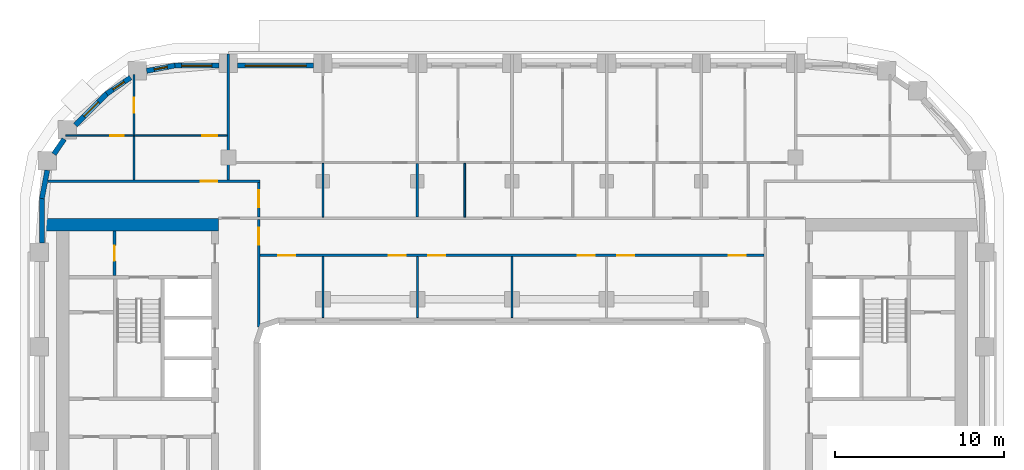
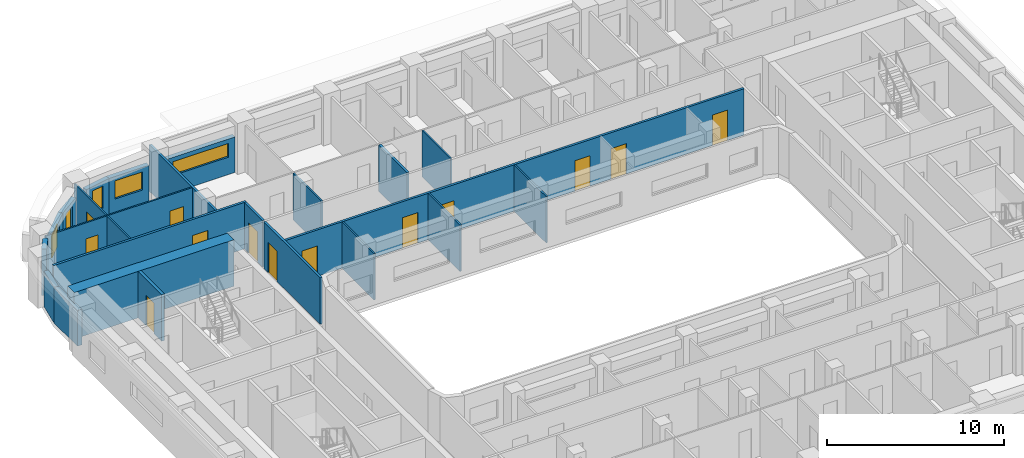
# One storey, part 7 of 22: 24 walls, 13 doors, 5 windows, 18 openings.
"""IFC4 building model written with IfcOpenShell, lengths in metres."""

from ifc_helpers import new_model, si_unit, direction, frame, frame_2d, origin, place, context, subcontext, project, spatial, rectangle, extrude, material, layer, layer_set, type_object, element, fill, save


model = new_model("IFC4")

# Units and contexts
model_context = context("Model", 3, precision=1e-05, world=origin(), true_north=direction((0.0, 1.0)))
body_context = subcontext(model_context, "Body", "Model", "MODEL_VIEW")
ifc_project = project(units=[si_unit("LENGTHUNIT", "METRE"), si_unit("AREAUNIT", "SQUARE_METRE"), si_unit("VOLUMEUNIT", "CUBIC_METRE"), si_unit("PLANEANGLEUNIT", "RADIAN"), si_unit("MASSUNIT", "GRAM", prefix="KILO")], contexts=[model_context])

# Site, building, storey
site_placement = place(None, origin())
site = spatial("IfcSite", under=ifc_project, at=site_placement, CompositionType="ELEMENT")
building_placement = place(site_placement, origin())
building = spatial("IfcBuilding", under=site, at=building_placement, Name="Kiln Ring Residences", CompositionType="ELEMENT")
storey_placement = place(building_placement, frame((0.0, 0.0, 143.10009765625)))
storey = spatial("IfcBuildingStorey", under=building, at=storey_placement, Name="L36", CompositionType="ELEMENT", Elevation=143.10009765625)

# Wall, opening, door
ifc_material_1 = material(Name="Gypsum board on steel studs", Category="steel")
ifc_layer_1 = layer(ifc_material_1, 0.199951171875)
ifc_layer_set_1 = layer_set([ifc_layer_1], Name="CORE-PARTITION-200")
wall_type_1 = type_object("IfcWallType", Name="CORE-PARTITION-200", PredefinedType="PARTITIONING", material=ifc_layer_set_1)
wall_1_placement = place(storey_placement, frame((-23.550048828125, 9.800048828125, 0.0), z_axis=(0.0, 0.0, 1.0), x_axis=(0.0, 1.0, 0.0)))
wall_1 = element("IfcWall", 1, at=wall_1_placement, inside=storey, type_object=wall_type_1, Name="Core partition west L36 4", PredefinedType="PARTITIONING", context=body_context, shape_type="SweptSolid", body=[
    extrude(rectangle(XDim=2.64990234375, YDim=0.199951171875, at=frame_2d((1.324951171875, 0.0))), origin(), (0.0, 0.0, 1.0), 3.199951171875),
])
opening_1_placement = place(wall_1_placement, frame((0.875, 0.0, 0.0)))
opening_1 = element("IfcOpeningElement", 2, at=opening_1_placement, cuts=wall_1, Name="Opening L36-CW09", PredefinedType="OPENING", context=body_context, shape_type="SweptSolid", body=[
    extrude(rectangle(XDim=0.89990234375, YDim=2.10009765625, at=frame_2d((0.449951171875, 1.050048828125))), frame((0.0, 0.10986328125, 0.0), z_axis=(0.0, -1.0, 0.0), x_axis=(1.0, 0.0, 0.0)), (0.0, 0.0, 1.0), 0.219970703125),
])
ifc_material_2 = material(Name="Steel door leaf", Category="steel")
door_type_1 = type_object("IfcDoorType", Name="CORE-DOOR-ROOM", OperationType="SINGLE_SWING_LEFT", PredefinedType="DOOR", material=ifc_material_2)
door_1_placement = place(opening_1_placement, origin())
door_1 = element("IfcDoor", 3, at=door_1_placement, inside=storey, type_object=door_type_1, Name="Fire riser room L36-CW09", OperationType="SINGLE_SWING_LEFT", OverallHeight=2.10009765625, OverallWidth=0.89990234375, PredefinedType="DOOR", context=body_context, shape_type="SweptSolid", body=[
    extrude(rectangle(XDim=0.89990234375, YDim=2.10009765625, at=frame_2d((0.449951171875, 1.050048828125))), frame((0.0, 0.02490234375, 0.0), z_axis=(0.0, -1.0, 0.0), x_axis=(1.0, 0.0, 0.0)), (0.0, 0.0, 1.0), 0.050048828125),
])
fill(opening_1, door_1)

# Wall
ifc_material_3 = material(Name="Concrete C60/75", Category="concrete")
ifc_layer_2 = layer(ifc_material_3, 0.75)
ifc_layer_set_2 = layer_set([ifc_layer_2], Name="CORE-WALL-RC750")
wall_type_2 = type_object("IfcWallType", Name="CORE-WALL-RC750", PredefinedType="SHEAR", material=ifc_layer_set_2)
wall_2_placement = place(storey_placement, frame((-17.39990234375, 12.824951171875, 0.0), z_axis=(0.0, 0.0, 1.0), x_axis=(-1.0, 0.0, 0.0)))
element("IfcWall", 4, at=wall_2_placement, inside=storey, type_object=wall_type_2, Name="Core wall west L36 4", PredefinedType="SHEAR", context=body_context, shape_type="SweptSolid", body=[
    extrude(rectangle(XDim=10.400146484375, YDim=0.75, at=frame_2d((5.2001953125, 0.0))), origin(), (0.0, 0.0, 1.0), 3.199951171875),
])

# Wall, opening, window
ifc_material_4 = material(Name="Brick masonry, dark clay brick", Category="masonry")
ifc_layer_3 = layer(ifc_material_4, 0.300048828125)
ifc_layer_set_3 = layer_set([ifc_layer_3], Name="EW-300 BRICK WALL")
wall_type_3 = type_object("IfcWallType", Name="EW-300 BRICK WALL", PredefinedType="SOLIDWALL", material=ifc_layer_set_3)
wall_3_placement = place(storey_placement, frame((-11.75, 22.25, 0.0), z_axis=(0.0, 0.0, 1.0), x_axis=(-1.0, 0.0, 0.0)))
wall_3 = element("IfcWall", 5, at=wall_3_placement, inside=storey, type_object=wall_type_3, Name="Facade wall L36 34", PredefinedType="SOLIDWALL", context=body_context, shape_type="SweptSolid", body=[
    extrude(rectangle(XDim=4.5, YDim=0.300048828125, at=frame_2d((2.25, 0.0))), origin(), (0.0, 0.0, 1.0), 2.449951171875),
])
opening_2_placement = place(wall_3_placement, frame((0.449951171875, 0.0, 1.199951171875)))
opening_2 = element("IfcOpeningElement", 6, at=opening_2_placement, cuts=wall_3, Name="Opening W4", PredefinedType="OPENING", context=body_context, shape_type="SweptSolid", body=[
    extrude(rectangle(XDim=3.60009765625, YDim=0.949951171875, at=frame_2d((1.800048828125, 0.47509765625))), frame((0.0, 0.159912109375, 0.0), z_axis=(0.0, -1.0, 0.0), x_axis=(1.0, 0.0, 0.0)), (0.0, 0.0, 1.0), 0.320068359375),
])
ifc_material_5 = material(Name="Aluminium frame with double glazing", Category="aluminium")
window_type_1 = type_object("IfcWindowType", Name="WINDOW 3600 x 950", PartitioningType="SINGLE_PANEL", PredefinedType="WINDOW", material=ifc_material_5)
window_1_placement = place(opening_2_placement, origin())
window_1 = element("IfcWindow", 7, at=window_1_placement, inside=storey, type_object=window_type_1, Name="Window L36 28", OverallHeight=0.949951171875, OverallWidth=3.60009765625, PartitioningType="SINGLE_PANEL", PredefinedType="WINDOW", context=body_context, shape_type="SweptSolid", body=[
    extrude(rectangle(XDim=3.60009765625, YDim=0.949951171875, at=frame_2d((1.800048828125, 0.47509765625))), frame((0.0, 0.030029296875, 0.0), z_axis=(0.0, -1.0, 0.0), x_axis=(1.0, 0.0, 0.0)), (0.0, 0.0, 1.0), 0.06005859375),
])
fill(opening_2, window_1)

wall_4_placement = place(storey_placement, frame((-17.35009765625, 22.25, 0.0), z_axis=(0.0, 0.0, 1.0), x_axis=(-1.0, 0.0, 0.0)))
wall_4 = element("IfcWall", 8, at=wall_4_placement, inside=storey, type_object=wall_type_3, Name="Facade wall L36 35", PredefinedType="SOLIDWALL", context=body_context, shape_type="SweptSolid", body=[
    extrude(rectangle(XDim=2.64990234375, YDim=0.300048828125, at=frame_2d((1.324951171875, 0.0))), origin(), (0.0, 0.0, 1.0), 2.449951171875),
])
opening_3_placement = place(wall_4_placement, frame((0.425048828125, 0.0, 0.89990234375)))
opening_3 = element("IfcOpeningElement", 9, at=opening_3_placement, cuts=wall_4, Name="Opening W2", PredefinedType="OPENING", context=body_context, shape_type="SweptSolid", body=[
    extrude(rectangle(XDim=1.800048828125, YDim=1.25, at=frame_2d((0.89990234375, 0.625))), frame((0.0, 0.159912109375, 0.0), z_axis=(0.0, -1.0, 0.0), x_axis=(1.0, 0.0, 0.0)), (0.0, 0.0, 1.0), 0.320068359375),
])
ifc_material_6 = material(Name="Aluminium frame with double glazing", Category="aluminium")
window_type_2 = type_object("IfcWindowType", Name="WINDOW 1800 x 1250", PartitioningType="SINGLE_PANEL", PredefinedType="WINDOW", material=ifc_material_6)
window_2_placement = place(opening_3_placement, origin())
window_2 = element("IfcWindow", 10, at=window_2_placement, inside=storey, type_object=window_type_2, Name="Window L36 29", OverallHeight=1.25, OverallWidth=1.800048828125, PartitioningType="SINGLE_PANEL", PredefinedType="WINDOW", context=body_context, shape_type="SweptSolid", body=[
    extrude(rectangle(XDim=1.800048828125, YDim=1.25, at=frame_2d((0.89990234375, 0.625))), frame((0.0, 0.030029296875, 0.0), z_axis=(0.0, -1.0, 0.0), x_axis=(1.0, 0.0, 0.0)), (0.0, 0.0, 1.0), 0.06005859375),
])
fill(opening_3, window_2)

wall_5_placement = place(storey_placement, frame((-19.971923828125, 22.252685546875, 0.0), z_axis=(0.0, 0.0, 1.0), x_axis=(-0.982297206936, -0.187329114784, 0.0)))
wall_5 = element("IfcWall", 11, at=wall_5_placement, inside=storey, type_object=wall_type_3, Name="Facade wall L36 36", PredefinedType="SOLIDWALL", context=body_context, shape_type="SweptSolid", body=[
    extrude(rectangle(XDim=1.7060546875, YDim=0.300048828125, at=frame_2d((0.85302734375, 0.0))), origin(), (0.0, 0.0, 1.0), 2.449951171875),
])
opening_4_placement = place(wall_5_placement, frame((0.453125, 0.0, 0.60009765625)))
opening_4 = element("IfcOpeningElement", 12, at=opening_4_placement, cuts=wall_5, Name="Opening W5", PredefinedType="OPENING", context=body_context, shape_type="SweptSolid", body=[
    extrude(rectangle(XDim=0.800048828125, YDim=1.550048828125, at=frame_2d((0.39990234375, 0.77490234375))), frame((0.0, 0.159912109375, 0.0), z_axis=(0.0, -1.0, 0.0), x_axis=(1.0, 0.0, 0.0)), (0.0, 0.0, 1.0), 0.320068359375),
])
ifc_material_7 = material(Name="Aluminium frame with double glazing", Category="aluminium")
window_type_3 = type_object("IfcWindowType", Name="WINDOW 800 x 1550", PartitioningType="SINGLE_PANEL", PredefinedType="WINDOW", material=ifc_material_7)
window_3_placement = place(opening_4_placement, origin())
window_3 = element("IfcWindow", 13, at=window_3_placement, inside=storey, type_object=window_type_3, Name="Window L36 30", OverallHeight=1.550048828125, OverallWidth=0.800048828125, PartitioningType="SINGLE_PANEL", PredefinedType="WINDOW", context=body_context, shape_type="SweptSolid", body=[
    extrude(rectangle(XDim=0.800048828125, YDim=1.550048828125, at=frame_2d((0.39990234375, 0.77490234375))), frame((0.0, 0.030029296875, 0.0), z_axis=(0.0, -1.0, 0.0), x_axis=(1.0, 0.0, 0.0)), (0.0, 0.0, 1.0), 0.06005859375),
])
fill(opening_4, window_3)

wall_6_placement = place(storey_placement, frame((-22.601806640625, 21.537841796875, 0.0), z_axis=(0.0, 0.0, 1.0), x_axis=(-0.827040942766, -0.562141689424, 0.0)))
wall_6 = element("IfcWall", 14, at=wall_6_placement, inside=storey, type_object=wall_type_3, Name="Facade wall L36 37", PredefinedType="SOLIDWALL", context=body_context, shape_type="SweptSolid", body=[
    extrude(rectangle(XDim=1.7060546875, YDim=0.300048828125, at=frame_2d((0.85302734375, 0.0))), origin(), (0.0, 0.0, 1.0), 2.449951171875),
])
opening_5_placement = place(wall_6_placement, frame((0.453125, 0.0, 0.60009765625)))
opening_5 = element("IfcOpeningElement", 15, at=opening_5_placement, cuts=wall_6, Name="Opening W5", PredefinedType="OPENING", context=body_context, shape_type="SweptSolid", body=[
    extrude(rectangle(XDim=0.800048828125, YDim=1.550048828125, at=frame_2d((0.39990234375, 0.77490234375))), frame((0.0, 0.159912109375, 0.0), z_axis=(0.0, -1.0, 0.0), x_axis=(1.0, 0.0, 0.0)), (0.0, 0.0, 1.0), 0.320068359375),
])
window_4_placement = place(opening_5_placement, origin())
window_4 = element("IfcWindow", 16, at=window_4_placement, inside=storey, type_object=window_type_3, Name="Window L36 31", OverallHeight=1.550048828125, OverallWidth=0.800048828125, PartitioningType="SINGLE_PANEL", PredefinedType="WINDOW", context=body_context, shape_type="SweptSolid", body=[
    extrude(rectangle(XDim=0.800048828125, YDim=1.550048828125, at=frame_2d((0.39990234375, 0.77490234375))), frame((0.0, 0.030029296875, 0.0), z_axis=(0.0, -1.0, 0.0), x_axis=(1.0, 0.0, 0.0)), (0.0, 0.0, 1.0), 0.06005859375),
])
fill(opening_5, window_4)

wall_7_placement = place(storey_placement, frame((-23.990966796875, 20.596923828125, 0.0), z_axis=(0.0, 0.0, 1.0), x_axis=(-0.707106781187, -0.707106781187, 0.0)))
wall_7 = element("IfcWall", 17, at=wall_7_placement, inside=storey, type_object=wall_type_3, Name="Facade wall L36 38", PredefinedType="SOLIDWALL", context=body_context, shape_type="SweptSolid", body=[
    extrude(rectangle(XDim=2.64990234375, YDim=0.300048828125, at=frame_2d((1.324951171875, 0.0))), origin(), (0.0, 0.0, 1.0), 2.449951171875),
])
opening_6_placement = place(wall_7_placement, frame((0.72509765625, 0.0, 0.60009765625)))
opening_6 = element("IfcOpeningElement", 18, at=opening_6_placement, cuts=wall_7, Name="Opening W1", PredefinedType="OPENING", context=body_context, shape_type="SweptSolid", body=[
    extrude(rectangle(XDim=1.199951171875, YDim=1.550048828125, at=frame_2d((0.60009765625, 0.77490234375))), frame((0.0, 0.159912109375, 0.0), z_axis=(0.0, -1.0, 0.0), x_axis=(1.0, 0.0, 0.0)), (0.0, 0.0, 1.0), 0.320068359375),
])
ifc_material_8 = material(Name="Aluminium frame with double glazing", Category="aluminium")
window_type_4 = type_object("IfcWindowType", Name="WINDOW 1200 x 1550", PartitioningType="SINGLE_PANEL", PredefinedType="WINDOW", material=ifc_material_8)
window_5_placement = place(opening_6_placement, origin())
window_5 = element("IfcWindow", 19, at=window_5_placement, inside=storey, type_object=window_type_4, Name="Window L36 32", OverallHeight=1.550048828125, OverallWidth=1.199951171875, PartitioningType="SINGLE_PANEL", PredefinedType="WINDOW", context=body_context, shape_type="SweptSolid", body=[
    extrude(rectangle(XDim=1.199951171875, YDim=1.550048828125, at=frame_2d((0.60009765625, 0.77490234375))), frame((0.0, 0.030029296875, 0.0), z_axis=(0.0, -1.0, 0.0), x_axis=(1.0, 0.0, 0.0)), (0.0, 0.0, 1.0), 0.06005859375),
])
fill(opening_6, window_5)

# Walls
wall_8_placement = place(storey_placement, frame((-26.532470703125, 17.892578125, 0.0), z_axis=(0.0, 0.0, 1.0), x_axis=(-0.562105419172, -0.82706559458, 0.0)))
element("IfcWall", 20, at=wall_8_placement, inside=storey, type_object=wall_type_3, Name="Facade wall L36 39", PredefinedType="SOLIDWALL", context=body_context, shape_type="SweptSolid", body=[
    extrude(rectangle(XDim=1.0771484375, YDim=0.300048828125, at=frame_2d((0.53857421875, 0.0))), origin(), (0.0, 0.0, 1.0), 3.199951171875),
])
wall_9_placement = place(storey_placement, frame((-27.532958984375, 16.0478515625, 0.0), z_axis=(0.0, 0.0, 1.0), x_axis=(-0.187302784601, -0.982302227871, 0.0)))
element("IfcWall", 21, at=wall_9_placement, inside=storey, type_object=wall_type_3, Name="Facade wall L36 40", PredefinedType="SOLIDWALL", context=body_context, shape_type="SweptSolid", body=[
    extrude(rectangle(XDim=1.706298828125, YDim=0.300048828125, at=frame_2d((0.85302734375, 0.0))), origin(), (0.0, 0.0, 1.0), 2.449951171875),
])
wall_10_placement = place(storey_placement, frame((-27.85009765625, 14.39990234375, 0.0), z_axis=(0.0, 0.0, 1.0), x_axis=(0.0, -1.0, 0.0)))
element("IfcWall", 22, at=wall_10_placement, inside=storey, type_object=wall_type_3, Name="Facade wall L36 41", PredefinedType="SOLIDWALL", context=body_context, shape_type="SweptSolid", body=[
    extrude(rectangle(XDim=2.64990234375, YDim=0.300048828125, at=frame_2d((1.324951171875, 0.0))), origin(), (0.0, 0.0, 1.0), 2.449951171875),
])

# Wall, openings, doors
ifc_material_9 = material(Name="Gypsum board on steel studs", Category="steel")
ifc_layer_4 = layer(ifc_material_9, 0.10009765625)
ifc_layer_set_4 = layer_set([ifc_layer_4], Name="PARTITION-100")
wall_type_4 = type_object("IfcWallType", Name="PARTITION-100", PredefinedType="PARTITIONING", material=ifc_layer_set_4)
wall_11_placement = place(storey_placement, frame((-26.43994140625, 18.10009765625, 0.0), z_axis=(0.0, 0.0, 1.0), x_axis=(1.0, 0.0, 0.0)))
wall_11 = element("IfcWall", 23, at=wall_11_placement, inside=storey, type_object=wall_type_4, Name="Partition 012", PredefinedType="PARTITIONING", context=body_context, shape_type="SweptSolid", body=[
    extrude(rectangle(XDim=9.56494140625, YDim=0.10009765625, at=frame_2d((4.782470703125, 0.0))), origin(), (0.0, 0.0, 1.0), 3.199951171875),
])
opening_7_placement = place(wall_11_placement, frame((2.6259765625, 0.0, 0.0)))
opening_7 = element("IfcOpeningElement", 24, at=opening_7_placement, cuts=wall_11, Name="Opening L36-D040", PredefinedType="OPENING", context=body_context, shape_type="SweptSolid", body=[
    extrude(rectangle(XDim=0.800048828125, YDim=2.10009765625, at=frame_2d((0.39990234375, 1.050048828125))), frame((0.0, 0.06005859375, 0.0), z_axis=(0.0, -1.0, 0.0), x_axis=(1.0, 0.0, 0.0)), (0.0, 0.0, 1.0), 0.1201171875),
])
opening_8_placement = place(wall_11_placement, frame((8.090087890625, 0.0, 0.0)))
opening_8 = element("IfcOpeningElement", 25, at=opening_8_placement, cuts=wall_11, Name="Opening L36-D041", PredefinedType="OPENING", context=body_context, shape_type="SweptSolid", body=[
    extrude(rectangle(XDim=0.89990234375, YDim=2.10009765625, at=frame_2d((0.449951171875, 1.050048828125))), frame((0.0, 0.06005859375, 0.0), z_axis=(0.0, -1.0, 0.0), x_axis=(1.0, 0.0, 0.0)), (0.0, 0.0, 1.0), 0.1201171875),
])
ifc_material_10 = material(Name="Timber door leaf", Category="wood")
door_type_2 = type_object("IfcDoorType", Name="FLAT-DOOR-800-PL", OperationType="SINGLE_SWING_LEFT", PredefinedType="DOOR", material=ifc_material_10)
door_2_placement = place(opening_7_placement, origin())
door_2 = element("IfcDoor", 26, at=door_2_placement, inside=storey, type_object=door_type_2, Name="Door L36-D040", OperationType="SINGLE_SWING_RIGHT", OverallHeight=2.10009765625, OverallWidth=0.800048828125, PredefinedType="DOOR", context=body_context, shape_type="SweptSolid", body=[
    extrude(rectangle(XDim=0.800048828125, YDim=2.10009765625, at=frame_2d((0.39990234375, 1.050048828125))), frame((0.0, 0.02490234375, 0.0), z_axis=(0.0, -1.0, 0.0), x_axis=(1.0, 0.0, 0.0)), (0.0, 0.0, 1.0), 0.050048828125),
])
fill(opening_7, door_2)
ifc_material_11 = material(Name="Timber door leaf", Category="wood")
door_type_3 = type_object("IfcDoorType", Name="FLAT-DOOR-900-PL", OperationType="SINGLE_SWING_LEFT", PredefinedType="DOOR", material=ifc_material_11)
door_3_placement = place(opening_8_placement, origin())
door_3 = element("IfcDoor", 27, at=door_3_placement, inside=storey, type_object=door_type_3, Name="Door L36-D041", OperationType="SINGLE_SWING_LEFT", OverallHeight=2.10009765625, OverallWidth=0.89990234375, PredefinedType="DOOR", context=body_context, shape_type="SweptSolid", body=[
    extrude(rectangle(XDim=0.89990234375, YDim=2.10009765625, at=frame_2d((0.449951171875, 1.050048828125))), frame((0.0, 0.02490234375, 0.0), z_axis=(0.0, -1.0, 0.0), x_axis=(1.0, 0.0, 0.0)), (0.0, 0.0, 1.0), 0.050048828125),
])
fill(opening_8, door_3)

# Wall
wall_12_placement = place(storey_placement, frame((-22.39990234375, 15.47509765625, 0.0), z_axis=(0.0, 0.0, 1.0), x_axis=(0.0, 1.0, 0.0)))
element("IfcWall", 28, at=wall_12_placement, inside=storey, type_object=wall_type_4, Name="Partition 016", PredefinedType="PARTITIONING", context=body_context, shape_type="SweptSolid", body=[
    extrude(rectangle(XDim=2.574951171875, YDim=0.10009765625, at=frame_2d((1.28759765625, 0.0))), origin(), (0.0, 0.0, 1.0), 3.199951171875),
])

# Wall, opening, door
wall_13_placement = place(storey_placement, frame((-22.39990234375, 18.14990234375, 0.0), z_axis=(0.0, 0.0, 1.0), x_axis=(0.0, 1.0, 0.0)))
wall_13 = element("IfcWall", 29, at=wall_13_placement, inside=storey, type_object=wall_type_4, Name="Partition 017", PredefinedType="PARTITIONING", context=body_context, shape_type="SweptSolid", body=[
    extrude(rectangle(XDim=3.570068359375, YDim=0.10009765625, at=frame_2d((1.78515625, 0.0))), origin(), (0.0, 0.0, 1.0), 3.199951171875),
])
opening_9_placement = place(wall_13_placement, frame((1.298095703125, 0.0, 0.0)))
opening_9 = element("IfcOpeningElement", 30, at=opening_9_placement, cuts=wall_13, Name="Opening L36-D042", PredefinedType="OPENING", context=body_context, shape_type="SweptSolid", body=[
    extrude(rectangle(XDim=0.89990234375, YDim=2.10009765625, at=frame_2d((0.449951171875, 1.050048828125))), frame((0.0, 0.06005859375, 0.0), z_axis=(0.0, -1.0, 0.0), x_axis=(1.0, 0.0, 0.0)), (0.0, 0.0, 1.0), 0.1201171875),
])
door_4_placement = place(opening_9_placement, origin())
door_4 = element("IfcDoor", 31, at=door_4_placement, inside=storey, type_object=door_type_3, Name="Door L36-D042", OperationType="SINGLE_SWING_RIGHT", OverallHeight=2.10009765625, OverallWidth=0.89990234375, PredefinedType="DOOR", context=body_context, shape_type="SweptSolid", body=[
    extrude(rectangle(XDim=0.89990234375, YDim=2.10009765625, at=frame_2d((0.449951171875, 1.050048828125))), frame((0.0, 0.02490234375, 0.0), z_axis=(0.0, -1.0, 0.0), x_axis=(1.0, 0.0, 0.0)), (0.0, 0.0, 1.0), 0.050048828125),
])
fill(opening_9, door_4)

# Walls
wall_14_placement = place(storey_placement, frame((-11.199951171875, 7.320068359375, 0.0), z_axis=(0.0, 0.0, 1.0), x_axis=(0.0, 1.0, 0.0)))
element("IfcWall", 32, at=wall_14_placement, inside=storey, type_object=wall_type_4, Name="Partition 027", PredefinedType="PARTITIONING", context=body_context, shape_type="SweptSolid", body=[
    extrude(rectangle(XDim=3.60498046875, YDim=0.10009765625, at=frame_2d((1.802490234375, 0.0))), origin(), (0.0, 0.0, 1.0), 3.199951171875),
])
wall_15_placement = place(storey_placement, frame((-11.199951171875, 13.27490234375, 0.0), z_axis=(0.0, 0.0, 1.0), x_axis=(0.0, 1.0, 0.0)))
element("IfcWall", 33, at=wall_15_placement, inside=storey, type_object=wall_type_4, Name="Partition 028", PredefinedType="PARTITIONING", context=body_context, shape_type="SweptSolid", body=[
    extrude(rectangle(XDim=3.175048828125, YDim=0.10009765625, at=frame_2d((1.58740234375, 0.0))), origin(), (0.0, 0.0, 1.0), 3.199951171875),
])
wall_16_placement = place(storey_placement, frame((-5.60009765625, 7.320068359375, 0.0), z_axis=(0.0, 0.0, 1.0), x_axis=(0.0, 1.0, 0.0)))
element("IfcWall", 34, at=wall_16_placement, inside=storey, type_object=wall_type_4, Name="Partition 031", PredefinedType="PARTITIONING", context=body_context, shape_type="SweptSolid", body=[
    extrude(rectangle(XDim=3.60498046875, YDim=0.10009765625, at=frame_2d((1.802490234375, 0.0))), origin(), (0.0, 0.0, 1.0), 3.199951171875),
])
wall_17_placement = place(storey_placement, frame((-2.800048828125, 13.27490234375, 0.0), z_axis=(0.0, 0.0, 1.0), x_axis=(0.0, 1.0, 0.0)))
element("IfcWall", 35, at=wall_17_placement, inside=storey, type_object=wall_type_4, Name="Partition 037", PredefinedType="PARTITIONING", context=body_context, shape_type="SweptSolid", body=[
    extrude(rectangle(XDim=3.175048828125, YDim=0.10009765625, at=frame_2d((1.58740234375, 0.0))), origin(), (0.0, 0.0, 1.0), 3.199951171875),
])
wall_18_placement = place(storey_placement, frame((0.0, 7.320068359375, 0.0), z_axis=(0.0, 0.0, 1.0), x_axis=(0.0, 1.0, 0.0)))
element("IfcWall", 36, at=wall_18_placement, inside=storey, type_object=wall_type_4, Name="Partition 040", PredefinedType="PARTITIONING", context=body_context, shape_type="SweptSolid", body=[
    extrude(rectangle(XDim=3.60498046875, YDim=0.10009765625, at=frame_2d((1.802490234375, 0.0))), origin(), (0.0, 0.0, 1.0), 3.199951171875),
])

# Wall, openings, doors
ifc_material_12 = material(Name="Brick masonry partition", Category="masonry")
ifc_layer_5 = layer(ifc_material_12, 0.14990234375)
ifc_layer_set_5 = layer_set([ifc_layer_5], Name="PARTITION-150-ei60")
wall_type_5 = type_object("IfcWallType", Name="PARTITION-150-ei60", PredefinedType="PARTITIONING", material=ifc_layer_set_5)
wall_19_placement = place(storey_placement, frame((-14.925048828125, 11.0, 0.0), z_axis=(0.0, 0.0, 1.0), x_axis=(1.0, 0.0, 0.0)))
wall_19 = element("IfcWall", 37, at=wall_19_placement, inside=storey, type_object=wall_type_5, Name="Partition 007", PredefinedType="PARTITIONING", context=body_context, shape_type="SweptSolid", body=[
    extrude(rectangle(XDim=29.85009765625, YDim=0.14990234375, at=frame_2d((14.925048828125, 0.0))), origin(), (0.0, 0.0, 1.0), 3.199951171875),
])
opening_10_placement = place(wall_19_placement, frame((1.075927734375, 0.0, 0.0)))
opening_10 = element("IfcOpeningElement", 38, at=opening_10_placement, cuts=wall_19, Name="Opening L36-D009", PredefinedType="OPENING", context=body_context, shape_type="SweptSolid", body=[
    extrude(rectangle(XDim=1.0, YDim=2.10009765625, at=frame_2d((0.5, 1.050048828125))), frame((0.0, 0.0849609375, 0.0), z_axis=(0.0, -1.0, 0.0), x_axis=(1.0, 0.0, 0.0)), (0.0, 0.0, 1.0), 0.169921875),
])
opening_11_placement = place(wall_19_placement, frame((7.625, 0.0, 0.0)))
opening_11 = element("IfcOpeningElement", 39, at=opening_11_placement, cuts=wall_19, Name="Opening L36-D010", PredefinedType="OPENING", context=body_context, shape_type="SweptSolid", body=[
    extrude(rectangle(XDim=1.0, YDim=2.10009765625, at=frame_2d((0.5, 1.050048828125))), frame((0.0, 0.0849609375, 0.0), z_axis=(0.0, -1.0, 0.0), x_axis=(1.0, 0.0, 0.0)), (0.0, 0.0, 1.0), 0.169921875),
])
opening_12_placement = place(wall_19_placement, frame((9.97509765625, 0.0, 0.0)))
opening_12 = element("IfcOpeningElement", 40, at=opening_12_placement, cuts=wall_19, Name="Opening L36-D011", PredefinedType="OPENING", context=body_context, shape_type="SweptSolid", body=[
    extrude(rectangle(XDim=1.0, YDim=2.10009765625, at=frame_2d((0.5, 1.050048828125))), frame((0.0, 0.0849609375, 0.0), z_axis=(0.0, -1.0, 0.0), x_axis=(1.0, 0.0, 0.0)), (0.0, 0.0, 1.0), 0.169921875),
])
opening_13_placement = place(wall_19_placement, frame((18.824951171875, 0.0, 0.0)))
opening_13 = element("IfcOpeningElement", 41, at=opening_13_placement, cuts=wall_19, Name="Opening L36-D012", PredefinedType="OPENING", context=body_context, shape_type="SweptSolid", body=[
    extrude(rectangle(XDim=1.0, YDim=2.10009765625, at=frame_2d((0.5, 1.050048828125))), frame((0.0, 0.0849609375, 0.0), z_axis=(0.0, -1.0, 0.0), x_axis=(1.0, 0.0, 0.0)), (0.0, 0.0, 1.0), 0.169921875),
])
opening_14_placement = place(wall_19_placement, frame((21.175048828125, 0.0, 0.0)))
opening_14 = element("IfcOpeningElement", 42, at=opening_14_placement, cuts=wall_19, Name="Opening L36-D013", PredefinedType="OPENING", context=body_context, shape_type="SweptSolid", body=[
    extrude(rectangle(XDim=1.0, YDim=2.10009765625, at=frame_2d((0.5, 1.050048828125))), frame((0.0, 0.0849609375, 0.0), z_axis=(0.0, -1.0, 0.0), x_axis=(1.0, 0.0, 0.0)), (0.0, 0.0, 1.0), 0.169921875),
])
opening_15_placement = place(wall_19_placement, frame((27.77490234375, 0.0, 0.0)))
opening_15 = element("IfcOpeningElement", 43, at=opening_15_placement, cuts=wall_19, Name="Opening L36-D014", PredefinedType="OPENING", context=body_context, shape_type="SweptSolid", body=[
    extrude(rectangle(XDim=1.0, YDim=2.10009765625, at=frame_2d((0.5, 1.050048828125))), frame((0.0, 0.0849609375, 0.0), z_axis=(0.0, -1.0, 0.0), x_axis=(1.0, 0.0, 0.0)), (0.0, 0.0, 1.0), 0.169921875),
])
ifc_material_13 = material(Name="Steel faced fire door leaf", Category="steel")
door_type_4 = type_object("IfcDoorType", Name="FLAT-DOOR-1000-FR", OperationType="SINGLE_SWING_LEFT", PredefinedType="DOOR", material=ifc_material_13)
door_5_placement = place(opening_10_placement, origin())
door_5 = element("IfcDoor", 44, at=door_5_placement, inside=storey, type_object=door_type_4, Name="Door L36-D009", OperationType="SINGLE_SWING_LEFT", OverallHeight=2.10009765625, OverallWidth=1.0, PredefinedType="DOOR", context=body_context, shape_type="SweptSolid", body=[
    extrude(rectangle(XDim=1.0, YDim=2.10009765625, at=frame_2d((0.5, 1.050048828125))), frame((0.0, 0.02490234375, 0.0), z_axis=(0.0, -1.0, 0.0), x_axis=(1.0, 0.0, 0.0)), (0.0, 0.0, 1.0), 0.050048828125),
])
fill(opening_10, door_5)
door_6_placement = place(opening_11_placement, origin())
door_6 = element("IfcDoor", 45, at=door_6_placement, inside=storey, type_object=door_type_4, Name="Door L36-D010", OperationType="SINGLE_SWING_RIGHT", OverallHeight=2.10009765625, OverallWidth=1.0, PredefinedType="DOOR", context=body_context, shape_type="SweptSolid", body=[
    extrude(rectangle(XDim=1.0, YDim=2.10009765625, at=frame_2d((0.5, 1.050048828125))), frame((0.0, 0.02490234375, 0.0), z_axis=(0.0, -1.0, 0.0), x_axis=(1.0, 0.0, 0.0)), (0.0, 0.0, 1.0), 0.050048828125),
])
fill(opening_11, door_6)
door_7_placement = place(opening_12_placement, origin())
door_7 = element("IfcDoor", 46, at=door_7_placement, inside=storey, type_object=door_type_4, Name="Door L36-D011", OperationType="SINGLE_SWING_LEFT", OverallHeight=2.10009765625, OverallWidth=1.0, PredefinedType="DOOR", context=body_context, shape_type="SweptSolid", body=[
    extrude(rectangle(XDim=1.0, YDim=2.10009765625, at=frame_2d((0.5, 1.050048828125))), frame((0.0, 0.02490234375, 0.0), z_axis=(0.0, -1.0, 0.0), x_axis=(1.0, 0.0, 0.0)), (0.0, 0.0, 1.0), 0.050048828125),
])
fill(opening_12, door_7)
door_8_placement = place(opening_13_placement, origin())
door_8 = element("IfcDoor", 47, at=door_8_placement, inside=storey, type_object=door_type_4, Name="Door L36-D012", OperationType="SINGLE_SWING_RIGHT", OverallHeight=2.10009765625, OverallWidth=1.0, PredefinedType="DOOR", context=body_context, shape_type="SweptSolid", body=[
    extrude(rectangle(XDim=1.0, YDim=2.10009765625, at=frame_2d((0.5, 1.050048828125))), frame((0.0, 0.02490234375, 0.0), z_axis=(0.0, -1.0, 0.0), x_axis=(1.0, 0.0, 0.0)), (0.0, 0.0, 1.0), 0.050048828125),
])
fill(opening_13, door_8)
door_9_placement = place(opening_14_placement, origin())
door_9 = element("IfcDoor", 48, at=door_9_placement, inside=storey, type_object=door_type_4, Name="Door L36-D013", OperationType="SINGLE_SWING_LEFT", OverallHeight=2.10009765625, OverallWidth=1.0, PredefinedType="DOOR", context=body_context, shape_type="SweptSolid", body=[
    extrude(rectangle(XDim=1.0, YDim=2.10009765625, at=frame_2d((0.5, 1.050048828125))), frame((0.0, 0.02490234375, 0.0), z_axis=(0.0, -1.0, 0.0), x_axis=(1.0, 0.0, 0.0)), (0.0, 0.0, 1.0), 0.050048828125),
])
fill(opening_14, door_9)
door_10_placement = place(opening_15_placement, origin())
door_10 = element("IfcDoor", 49, at=door_10_placement, inside=storey, type_object=door_type_4, Name="Door L36-D014", OperationType="SINGLE_SWING_RIGHT", OverallHeight=2.10009765625, OverallWidth=1.0, PredefinedType="DOOR", context=body_context, shape_type="SweptSolid", body=[
    extrude(rectangle(XDim=1.0, YDim=2.10009765625, at=frame_2d((0.5, 1.050048828125))), frame((0.0, 0.02490234375, 0.0), z_axis=(0.0, -1.0, 0.0), x_axis=(1.0, 0.0, 0.0)), (0.0, 0.0, 1.0), 0.050048828125),
])
fill(opening_15, door_10)

# Wall, opening, door
wall_20_placement = place(storey_placement, frame((-27.48388671875, 15.39990234375, 0.0), z_axis=(0.0, 0.0, 1.0), x_axis=(1.0, 0.0, 0.0)))
wall_20 = element("IfcWall", 50, at=wall_20_placement, inside=storey, type_object=wall_type_5, Name="Partition 009", PredefinedType="PARTITIONING", context=body_context, shape_type="SweptSolid", body=[
    extrude(rectangle(XDim=12.558837890625, YDim=0.14990234375, at=frame_2d((6.279296875, 0.0))), origin(), (0.0, 0.0, 1.0), 3.199951171875),
])
opening_16_placement = place(wall_20_placement, frame((9.03369140625, 0.0, 0.0)))
opening_16 = element("IfcOpeningElement", 51, at=opening_16_placement, cuts=wall_20, Name="Opening L36-D039", PredefinedType="OPENING", context=body_context, shape_type="SweptSolid", body=[
    extrude(rectangle(XDim=1.0, YDim=2.10009765625, at=frame_2d((0.5, 1.050048828125))), frame((0.0, 0.0849609375, 0.0), z_axis=(0.0, -1.0, 0.0), x_axis=(1.0, 0.0, 0.0)), (0.0, 0.0, 1.0), 0.169921875),
])
door_11_placement = place(opening_16_placement, origin())
door_11 = element("IfcDoor", 52, at=door_11_placement, inside=storey, type_object=door_type_4, Name="Door L36-D039", OperationType="SINGLE_SWING_LEFT", OverallHeight=2.10009765625, OverallWidth=1.0, PredefinedType="DOOR", context=body_context, shape_type="SweptSolid", body=[
    extrude(rectangle(XDim=1.0, YDim=2.10009765625, at=frame_2d((0.5, 1.050048828125))), frame((0.0, 0.02490234375, 0.0), z_axis=(0.0, -1.0, 0.0), x_axis=(1.0, 0.0, 0.0)), (0.0, 0.0, 1.0), 0.050048828125),
])
fill(opening_16, door_11)

# Wall
wall_21_placement = place(storey_placement, frame((-16.800048828125, 15.47509765625, 0.0), z_axis=(0.0, 0.0, 1.0), x_axis=(0.0, 1.0, 0.0)))
element("IfcWall", 53, at=wall_21_placement, inside=storey, type_object=wall_type_5, Name="Partition 019", PredefinedType="PARTITIONING", context=body_context, shape_type="SweptSolid", body=[
    extrude(rectangle(XDim=7.454833984375, YDim=0.14990234375, at=frame_2d((3.7275390625, 0.0))), origin(), (0.0, 0.0, 1.0), 3.199951171875),
])

# Wall, opening, door
wall_22_placement = place(storey_placement, frame((-15.0, 6.768798828125, 0.0), z_axis=(0.0, 0.0, 1.0), x_axis=(0.0, 1.0, 0.0)))
wall_22 = element("IfcWall", 54, at=wall_22_placement, inside=storey, type_object=wall_type_5, Name="Partition 022", PredefinedType="PARTITIONING", context=body_context, shape_type="SweptSolid", body=[
    extrude(rectangle(XDim=6.356201171875, YDim=0.14990234375, at=frame_2d((3.17822265625, 0.0))), origin(), (0.0, 0.0, 1.0), 3.199951171875),
])
opening_17_placement = place(wall_22_placement, frame((4.860107421875, 0.0, 0.0)))
opening_17 = element("IfcOpeningElement", 55, at=opening_17_placement, cuts=wall_22, Name="Opening L36-D001", PredefinedType="OPENING", context=body_context, shape_type="SweptSolid", body=[
    extrude(rectangle(XDim=1.0, YDim=2.10009765625, at=frame_2d((0.5, 1.050048828125))), frame((0.0, 0.0849609375, 0.0), z_axis=(0.0, -1.0, 0.0), x_axis=(1.0, 0.0, 0.0)), (0.0, 0.0, 1.0), 0.169921875),
])
door_12_placement = place(opening_17_placement, origin())
door_12 = element("IfcDoor", 56, at=door_12_placement, inside=storey, type_object=door_type_4, Name="Door L36-D001", OperationType="SINGLE_SWING_RIGHT", OverallHeight=2.10009765625, OverallWidth=1.0, PredefinedType="DOOR", context=body_context, shape_type="SweptSolid", body=[
    extrude(rectangle(XDim=1.0, YDim=2.10009765625, at=frame_2d((0.5, 1.050048828125))), frame((0.0, 0.02490234375, 0.0), z_axis=(0.0, -1.0, 0.0), x_axis=(1.0, 0.0, 0.0)), (0.0, 0.0, 1.0), 0.050048828125),
])
fill(opening_17, door_12)

wall_23_placement = place(storey_placement, frame((-15.0, 13.27490234375, 0.0), z_axis=(0.0, 0.0, 1.0), x_axis=(0.0, 1.0, 0.0)))
wall_23 = element("IfcWall", 57, at=wall_23_placement, inside=storey, type_object=wall_type_5, Name="Partition 023", PredefinedType="PARTITIONING", context=body_context, shape_type="SweptSolid", body=[
    extrude(rectangle(XDim=2.050048828125, YDim=0.14990234375, at=frame_2d((1.02490234375, 0.0))), origin(), (0.0, 0.0, 1.0), 3.199951171875),
])
opening_18_placement = place(wall_23_placement, frame((0.575927734375, 0.0, 0.0)))
opening_18 = element("IfcOpeningElement", 58, at=opening_18_placement, cuts=wall_23, Name="Opening L36-D015", PredefinedType="OPENING", context=body_context, shape_type="SweptSolid", body=[
    extrude(rectangle(XDim=1.0, YDim=2.10009765625, at=frame_2d((0.5, 1.050048828125))), frame((0.0, 0.0849609375, 0.0), z_axis=(0.0, -1.0, 0.0), x_axis=(1.0, 0.0, 0.0)), (0.0, 0.0, 1.0), 0.169921875),
])
door_13_placement = place(opening_18_placement, origin())
door_13 = element("IfcDoor", 59, at=door_13_placement, inside=storey, type_object=door_type_4, Name="Door L36-D015", OperationType="SINGLE_SWING_LEFT", OverallHeight=2.10009765625, OverallWidth=1.0, PredefinedType="DOOR", context=body_context, shape_type="SweptSolid", body=[
    extrude(rectangle(XDim=1.0, YDim=2.10009765625, at=frame_2d((0.5, 1.050048828125))), frame((0.0, 0.02490234375, 0.0), z_axis=(0.0, -1.0, 0.0), x_axis=(1.0, 0.0, 0.0)), (0.0, 0.0, 1.0), 0.050048828125),
])
fill(opening_18, door_13)

# Wall
wall_24_placement = place(storey_placement, frame((-5.60009765625, 13.27490234375, 0.0), z_axis=(0.0, 0.0, 1.0), x_axis=(0.0, 1.0, 0.0)))
element("IfcWall", 60, at=wall_24_placement, inside=storey, type_object=wall_type_5, Name="Partition 034", PredefinedType="PARTITIONING", context=body_context, shape_type="SweptSolid", body=[
    extrude(rectangle(XDim=3.175048828125, YDim=0.14990234375, at=frame_2d((1.58740234375, 0.0))), origin(), (0.0, 0.0, 1.0), 3.199951171875),
])

save(model, "model.ifc")
